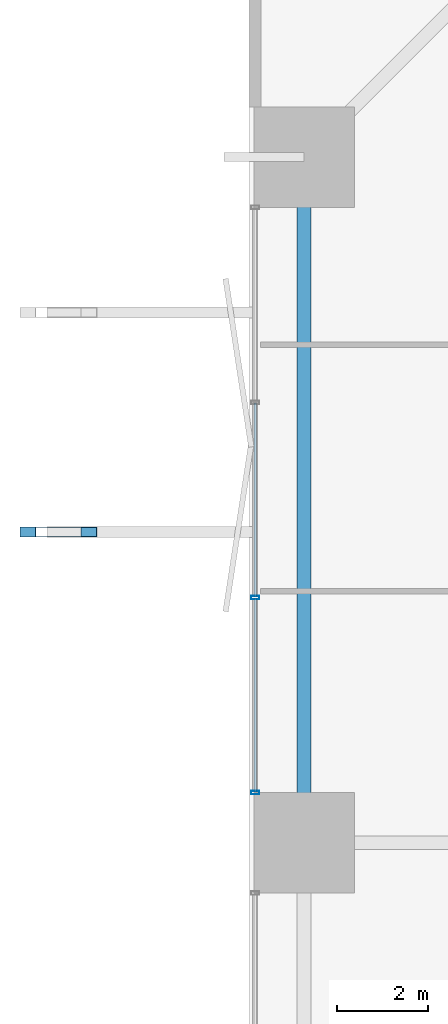
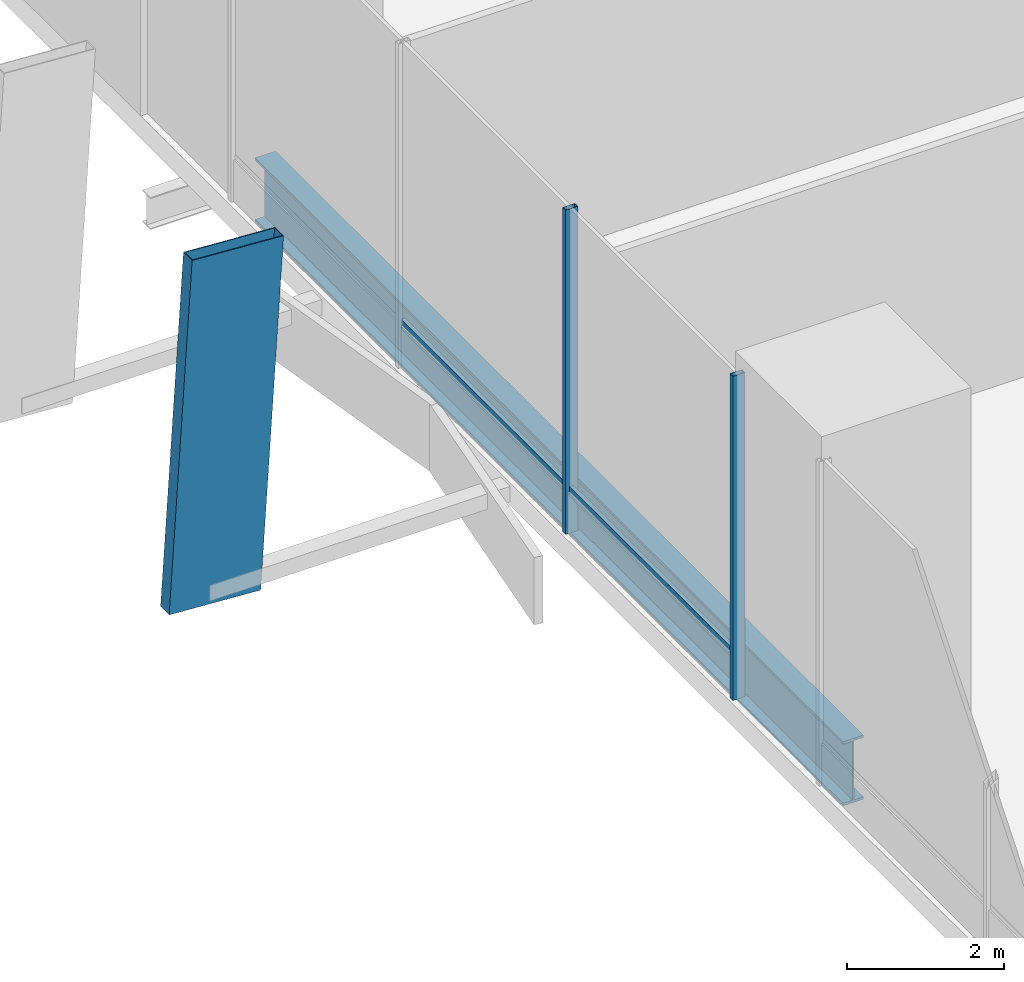
# One storey, part 9 of 24: 5 members, 1 beam, 1 element without a shape of its own.
"""IFC4 building model written with IfcOpenShell, lengths in metres."""

from ifc_helpers import new_model, si_unit, direction, frame, origin, origin_2d, place, context, subcontext, project, spatial, hollow_rectangle, i_section, extrude, material, layer, layer_set, material_profile, profile_set, type_object, element, aggregate, save


model = new_model("IFC4")

# Units and contexts
model_context = context("Model", 3, precision=1e-05, world=origin(), true_north=direction((0.0, 1.0)))
body_context = subcontext(model_context, "Body", "Model", "MODEL_VIEW")
ifc_project = project(units=[si_unit("LENGTHUNIT", "METRE"), si_unit("AREAUNIT", "SQUARE_METRE"), si_unit("VOLUMEUNIT", "CUBIC_METRE"), si_unit("PLANEANGLEUNIT", "RADIAN"), si_unit("MASSUNIT", "GRAM", prefix="KILO")], contexts=[model_context])

# Site, building, storey
site_placement = place(None, origin())
site = spatial("IfcSite", under=ifc_project, at=site_placement, CompositionType="ELEMENT")
building_placement = place(site_placement, origin())
building = spatial("IfcBuilding", under=site, at=building_placement, Name="Belovzor Exchange Tower", CompositionType="ELEMENT")
storey_placement = place(building_placement, frame((0.0, 0.0, 13.800048828125)))
storey = spatial("IfcBuildingStorey", under=building, at=storey_placement, Name="L03", CompositionType="ELEMENT", Elevation=13.800048828125)

# Member
ifc_material_1 = material(Name="Extruded Architectural Terracotta on Steel S355 Carrier", Category="masonry")
ifc_material_profile_1 = material_profile(ifc_material_1, hollow_rectangle(XDim=0.219970703125, YDim=1.35009765625, WallThickness=0.013916015625, at=origin_2d()))
ifc_profile_set_1 = profile_set([ifc_material_profile_1], Name="Extruded Architectural Terracotta on Steel S355 Carrier")
member_type_1 = type_object("IfcMemberType", Name="Base Arc Sweeping Terracotta Pylon Fin 1450", PredefinedType="USERDEFINED", material=ifc_profile_set_1)
member_1_placement = place(storey_placement, frame((-3.739990234375, 35.60009765625, -0.35009765625), z_axis=(0.062448514419, 0.0, 0.998048186736), x_axis=(0.0, 1.0, 0.0)))
element("IfcMember", 1, at=member_1_placement, inside=storey, type_object=member_type_1, Name="FIN-TC145 Terracotta Facade Fin L03 W3", ObjectType="FIN", PredefinedType="USERDEFINED", context=body_context, shape_type="SweptSolid", body=[
    extrude(hollow_rectangle(XDim=0.219970703125, YDim=1.35009765625, WallThickness=0.013916015625, at=origin_2d()), origin(), (0.0, 0.0, 1.0), 5.41064453125),
])

# Beam
ifc_material_2 = material(Name="Steel S460", Category="steel")
ifc_material_profile_2 = material_profile(ifc_material_2, i_section(OverallWidth=0.300048828125, OverallDepth=1.0, WebThickness=0.02099609375, FlangeThickness=0.0400390625, at=origin_2d()))
ifc_profile_set_2 = profile_set([ifc_material_profile_2], Name="Steel S460")
beam_type = type_object("IfcBeamType", Name="Podium Exchange Hall Ring Girder HEM 1000", PredefinedType="BEAM", material=ifc_profile_set_2)
beam_placement = place(storey_placement, frame((1.800048828125, 43.800048828125, -0.85009765625), z_axis=(0.0, -1.0, 0.0), x_axis=(1.0, 0.0, 0.0)))
element("IfcBeam", 2, at=beam_placement, inside=storey, type_object=beam_type, Name="PG-1 Podium Exchange Hall Ring Girder HEM 1000", PredefinedType="BEAM", context=body_context, shape_type="SweptSolid", body=[
    extrude(i_section(OverallWidth=0.300048828125, OverallDepth=1.0, WebThickness=0.02099609375, FlangeThickness=0.0400390625, at=origin_2d()), origin(), (0.0, 0.0, 1.0), 15.0),
])

# Curtain wall, members
ifc_material_3 = material(Name="Anodised Aluminium Framing", Category="aluminium")
ifc_layer = layer(ifc_material_3, 0.219970703125)
ifc_layer_set = layer_set([ifc_layer], Name="Anodised Aluminium Framing")
curtain_wall_type = type_object("IfcCurtainWallType", Name="Podium Clear-Span Exchange Hall Unitised Curtain Wall", PredefinedType="NOTDEFINED", material=ifc_layer_set)
curtain_wall_placement = place(storey_placement, origin())
curtain_wall = element("IfcCurtainWall", 3, at=curtain_wall_placement, inside=storey, type_object=curtain_wall_type, Name="CW1 Podium Clear-Span Exchange Hall Unitised Curtain Wall L03", PredefinedType="NOTDEFINED")
ifc_material_4 = material(Name="Steel S355", Category="steel")
ifc_material_profile_3 = material_profile(ifc_material_4, hollow_rectangle(XDim=0.074951171875, YDim=0.179931640625, WallThickness=0.0048828125, at=origin_2d()))
ifc_profile_set_3 = profile_set([ifc_material_profile_3], Name="Steel S355")
member_type_2 = type_object("IfcMemberType", Name="Thermally Broken Curtain Wall Mullion 180x75", PredefinedType="MULLION", material=ifc_profile_set_3)
member_2_placement = place(storey_placement, frame((0.72998046875, 29.89990234375, 0.0), z_axis=(0.0, 0.0, 1.0), x_axis=(0.0, 1.0, 0.0)))
member_2 = element("IfcMember", 4, at=member_2_placement, type_object=member_type_2, Name="CW-M180 Curtain Wall Mullion 1", PredefinedType="MULLION", context=body_context, shape_type="SweptSolid", body=[
    extrude(hollow_rectangle(XDim=0.074951171875, YDim=0.179931640625, WallThickness=0.0048828125, at=origin_2d()), origin(), (0.0, 0.0, 1.0), 5.050048828125),
])
member_3_placement = place(storey_placement, frame((0.72998046875, 34.1669921875, 0.0), z_axis=(0.0, 0.0, 1.0), x_axis=(0.0, 1.0, 0.0)))
member_3 = element("IfcMember", 5, at=member_3_placement, type_object=member_type_2, Name="CW-M180 Curtain Wall Mullion 2", PredefinedType="MULLION", context=body_context, shape_type="SweptSolid", body=[
    extrude(hollow_rectangle(XDim=0.074951171875, YDim=0.179931640625, WallThickness=0.0048828125, at=origin_2d()), origin(), (0.0, 0.0, 1.0), 5.050048828125),
])
ifc_material_5 = material(Name="Steel S355", Category="steel")
ifc_material_profile_4 = material_profile(ifc_material_5, hollow_rectangle(XDim=0.06005859375, YDim=0.14990234375, WallThickness=0.00390625, at=origin_2d()))
ifc_profile_set_4 = profile_set([ifc_material_profile_4], Name="Steel S355")
member_type_3 = type_object("IfcMemberType", Name="Thermally Broken Curtain Wall Transom 150x60", PredefinedType="USERDEFINED", material=ifc_profile_set_4)
member_4_placement = place(storey_placement, frame((0.72998046875, 29.907958984375, 0.64990234375), z_axis=(0.0, 1.0, 0.0), x_axis=(-1.0, 0.0, 0.0)))
member_4 = element("IfcMember", 6, at=member_4_placement, type_object=member_type_3, Name="CW-T150 Curtain Wall Transom 1", ObjectType="TRANSOM", PredefinedType="USERDEFINED", context=body_context, shape_type="SweptSolid", body=[
    extrude(hollow_rectangle(XDim=0.06005859375, YDim=0.14990234375, WallThickness=0.00390625, at=origin_2d()), origin(), (0.0, 0.0, 1.0), 4.2509765625),
])
member_5_placement = place(storey_placement, frame((0.72998046875, 34.175048828125, 0.64990234375), z_axis=(0.0, 1.0, 0.0), x_axis=(-1.0, 0.0, 0.0)))
member_5 = element("IfcMember", 7, at=member_5_placement, type_object=member_type_3, Name="CW-T150 Curtain Wall Transom 2", ObjectType="TRANSOM", PredefinedType="USERDEFINED", context=body_context, shape_type="SweptSolid", body=[
    extrude(hollow_rectangle(XDim=0.06005859375, YDim=0.14990234375, WallThickness=0.00390625, at=origin_2d()), origin(), (0.0, 0.0, 1.0), 4.25),
])
aggregate(curtain_wall, [member_2, member_3, member_4, member_5])

save(model, "model.ifc")
